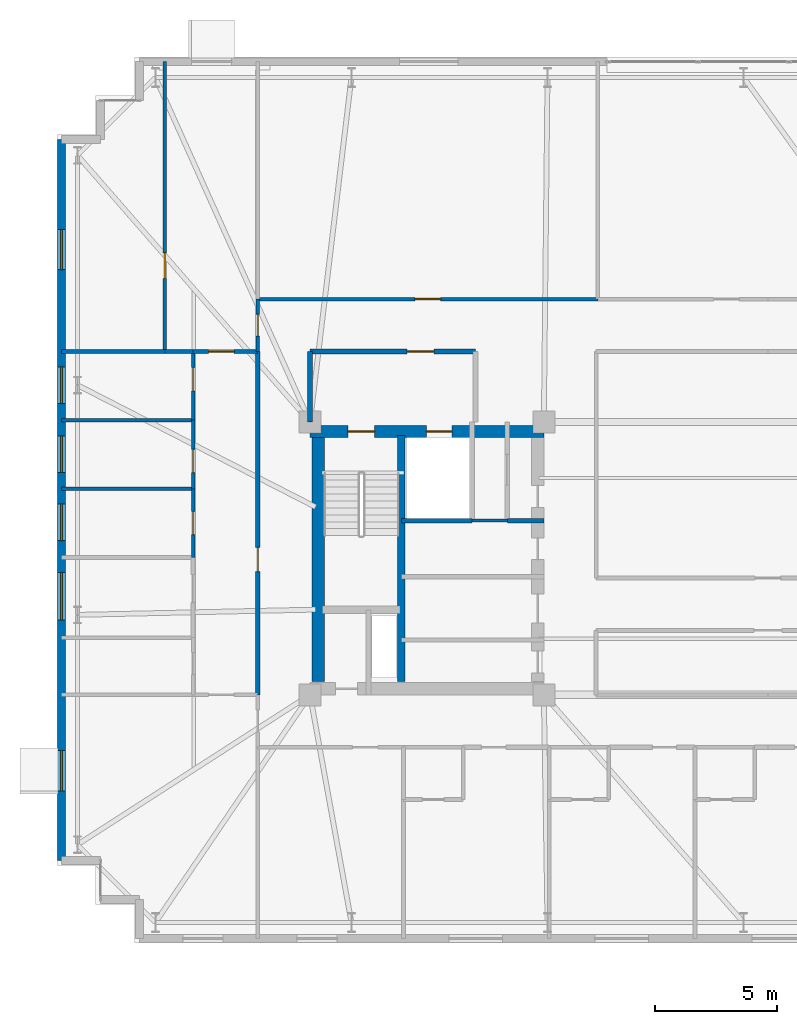
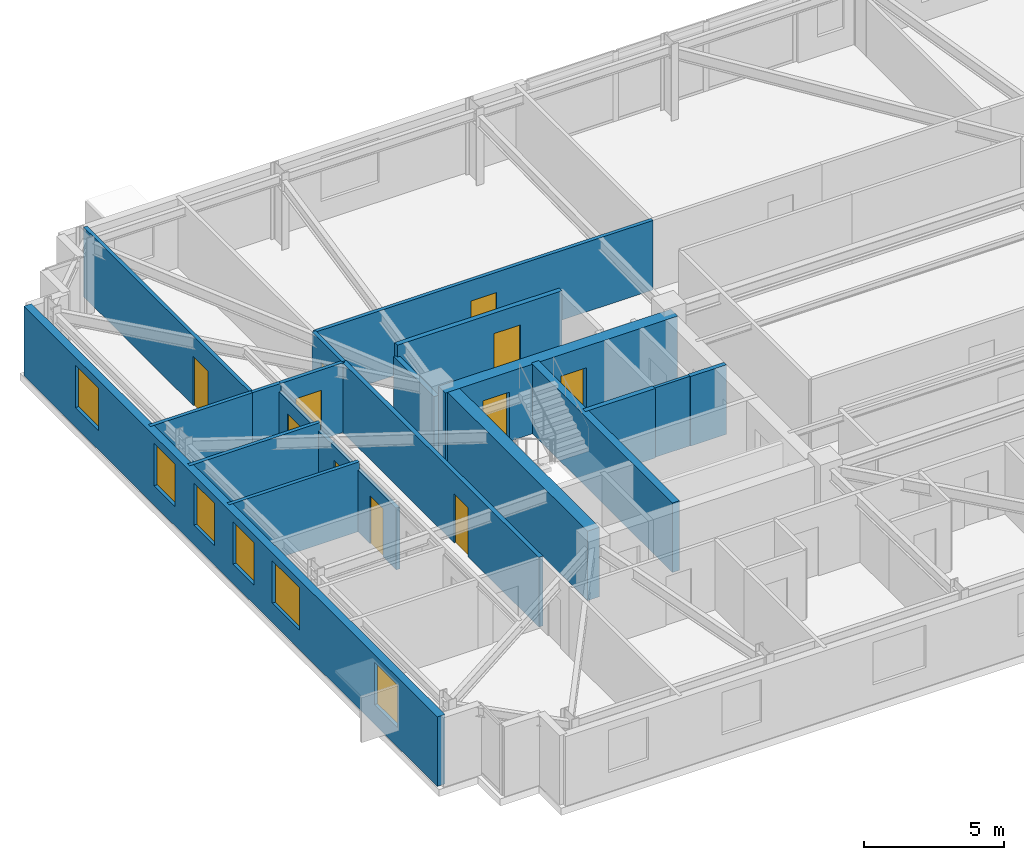
# One storey, part 13 of 18: 21 walls, 11 doors, 6 windows, 17 openings.
"""IFC4 building model written with IfcOpenShell, lengths in metres."""

from ifc_helpers import new_model, si_unit, direction, frame, frame_2d, origin, place, context, subcontext, project, spatial, rectangle, extrude, material, layer, layer_set, type_object, element, fill, save


model = new_model("IFC4")

# Units and contexts
model_context = context("Model", 3, precision=1e-05, world=origin(), true_north=direction((0.0, 1.0)))
body_context = subcontext(model_context, "Body", "Model", "MODEL_VIEW")
ifc_project = project(units=[si_unit("LENGTHUNIT", "METRE"), si_unit("AREAUNIT", "SQUARE_METRE"), si_unit("VOLUMEUNIT", "CUBIC_METRE"), si_unit("PLANEANGLEUNIT", "RADIAN"), si_unit("MASSUNIT", "GRAM", prefix="KILO")], contexts=[model_context])

# Site, building, storey
site_placement = place(None, origin())
site = spatial("IfcSite", under=ifc_project, at=site_placement, CompositionType="ELEMENT")
building_placement = place(site_placement, origin())
building = spatial("IfcBuilding", under=site, at=building_placement, Name="Qobustan Lattice House", CompositionType="ELEMENT")
storey_placement = place(building_placement, frame((0.0, 0.0, 151.10009765625)))
storey = spatial("IfcBuildingStorey", under=building, at=storey_placement, Name="L42", CompositionType="ELEMENT", Elevation=151.10009765625)

# Wall, openings, doors
ifc_material_1 = material(Name="Concrete C50/60", Category="concrete")
ifc_layer_1 = layer(ifc_material_1, 0.5)
ifc_layer_set_1 = layer_set([ifc_layer_1], Name="Concrete C50/60")
wall_type_1 = type_object("IfcWallType", Name="WAL-CORE-500", PredefinedType="SHEAR", material=ifc_layer_set_1)
wall_1_placement = place(storey_placement, frame((-18.800048828125, 5.2099609375, 0.0), z_axis=(0.0, 0.0, 1.0), x_axis=(1.0, 0.0, 0.0)))
wall_1 = element("IfcWall", 1, at=wall_1_placement, inside=storey, type_object=wall_type_1, Name="L42 split-core shear wall CW-N", PredefinedType="SHEAR", context=body_context, shape_type="SweptSolid", body=[
    extrude(rectangle(XDim=9.60009765625, YDim=0.5, at=frame_2d((4.800048828125, 0.0))), origin(), (0.0, 0.0, 1.0), 3.039794921875),
])
opening_1_placement = place(wall_1_placement, frame((1.550048828125, 0.0, 0.0)))
opening_1 = element("IfcOpeningElement", 2, at=opening_1_placement, cuts=wall_1, Name="Opening SD-01", PredefinedType="OPENING", context=body_context, shape_type="SweptSolid", body=[
    extrude(rectangle(XDim=1.10009765625, YDim=2.14990234375, at=frame_2d((0.550048828125, 1.074951171875))), frame((0.0, 0.260009765625, 0.0), z_axis=(0.0, -1.0, 0.0), x_axis=(1.0, 0.0, 0.0)), (0.0, 0.0, 1.0), 0.52001953125),
])
opening_2_placement = place(wall_1_placement, frame((4.77490234375, 0.0, 0.0)))
opening_2 = element("IfcOpeningElement", 3, at=opening_2_placement, cuts=wall_1, Name="Opening LD-01", PredefinedType="OPENING", context=body_context, shape_type="SweptSolid", body=[
    extrude(rectangle(XDim=1.050048828125, YDim=2.10009765625, at=frame_2d((0.52490234375, 1.050048828125))), frame((0.0, 0.260009765625, 0.0), z_axis=(0.0, -1.0, 0.0), x_axis=(1.0, 0.0, 0.0)), (0.0, 0.0, 1.0), 0.52001953125),
])
ifc_material_2 = material(Name="Persian walnut timber and steel frame door", Category="steel")
door_type_1 = type_object("IfcDoorType", Name="DOR-LIFT-LD-1050x2100", OperationType="NOTDEFINED", PredefinedType="DOOR", material=ifc_material_2)
door_1_placement = place(opening_2_placement, origin())
door_1 = element("IfcDoor", 4, at=door_1_placement, inside=storey, type_object=door_type_1, Name="L42 firefighting lift FF-W landing door", OperationType="DOUBLE_DOOR_SLIDING", OverallHeight=2.10009765625, OverallWidth=1.050048828125, PredefinedType="DOOR", context=body_context, shape_type="SweptSolid", body=[
    extrude(rectangle(XDim=1.050048828125, YDim=2.10009765625, at=frame_2d((0.52490234375, 1.050048828125))), frame((0.0, 0.02490234375, 0.0), z_axis=(0.0, -1.0, 0.0), x_axis=(1.0, 0.0, 0.0)), (0.0, 0.0, 1.0), 0.050048828125),
])
fill(opening_2, door_1)
ifc_material_3 = material(Name="Persian walnut timber and steel frame door", Category="steel")
door_type_2 = type_object("IfcDoorType", Name="DOR-STAIR-FD-1100x2150", OperationType="NOTDEFINED", PredefinedType="DOOR", material=ifc_material_3)
door_2_placement = place(opening_1_placement, origin())
door_2 = element("IfcDoor", 5, at=door_2_placement, inside=storey, type_object=door_type_2, Name="L42 exit stair ST-W1 fire door", OperationType="SINGLE_SWING_LEFT", OverallHeight=2.14990234375, OverallWidth=1.10009765625, PredefinedType="DOOR", context=body_context, shape_type="SweptSolid", body=[
    extrude(rectangle(XDim=1.10009765625, YDim=2.14990234375, at=frame_2d((0.550048828125, 1.074951171875))), frame((0.0, 0.02490234375, 0.0), z_axis=(0.0, -1.0, 0.0), x_axis=(1.0, 0.0, 0.0)), (0.0, 0.0, 1.0), 0.050048828125),
])
fill(opening_1, door_2)

# Walls
wall_2_placement = place(storey_placement, frame((-18.4599609375, -5.050048828125, 0.0), z_axis=(0.0, 0.0, 1.0), x_axis=(0.0, 1.0, 0.0)))
element("IfcWall", 6, at=wall_2_placement, inside=storey, type_object=wall_type_1, Name="L42 split-core shear wall CW-W", PredefinedType="SHEAR", context=body_context, shape_type="SweptSolid", body=[
    extrude(rectangle(XDim=10.10009765625, YDim=0.5, at=frame_2d((5.050048828125, 0.0))), origin(), (0.0, 0.0, 1.0), 3.039794921875),
])
ifc_material_4 = material(Name="Concrete C50/60", Category="concrete")
ifc_layer_2 = layer(ifc_material_4, 0.280029296875)
ifc_layer_set_2 = layer_set([ifc_layer_2], Name="Concrete C50/60")
wall_type_2 = type_object("IfcWallType", Name="WAL-CORE-SPINE-280", PredefinedType="SHEAR", material=ifc_layer_set_2)
wall_3_placement = place(storey_placement, frame((-15.050048828125, -5.050048828125, 0.0), z_axis=(0.0, 0.0, 1.0), x_axis=(0.0, 1.0, 0.0)))
element("IfcWall", 7, at=wall_3_placement, inside=storey, type_object=wall_type_2, Name="L42 split-core shear wall CW-M", PredefinedType="SHEAR", context=body_context, shape_type="SweptSolid", body=[
    extrude(rectangle(XDim=10.10009765625, YDim=0.300048828125, at=frame_2d((5.050048828125, 0.0))), origin(), (0.0, 0.0, 1.0), 3.039794921875),
])

# Wall, openings, windows
ifc_material_5 = material(Name="Precast concrete C40/50", Category="concrete")
ifc_layer_3 = layer(ifc_material_5, 0.320068359375)
ifc_layer_set_3 = layer_set([ifc_layer_3], Name="Precast concrete C40/50")
wall_type_3 = type_object("IfcWallType", Name="WAL-EXT-STONE-320", PredefinedType="SOLIDWALL", material=ifc_layer_set_3)
wall_4_placement = place(storey_placement, frame((-29.0, -12.39990234375, 0.0), z_axis=(0.0, 0.0, 1.0), x_axis=(0.0, 1.0, 0.0)))
wall_4 = element("IfcWall", 8, at=wall_4_placement, inside=storey, type_object=wall_type_3, Name="L42 exterior limestone-clad wall 5", PredefinedType="SOLIDWALL", context=body_context, shape_type="SweptSolid", body=[
    extrude(rectangle(XDim=29.599853515625, YDim=0.320068359375, at=frame_2d((14.7998046875, 0.0))), origin(), (0.0, 0.0, 1.0), 3.039794921875),
])
opening_3_placement = place(wall_4_placement, frame((2.85498046875, 0.0, 0.85009765625)))
opening_3 = element("IfcOpeningElement", 9, at=opening_3_placement, cuts=wall_4, Name="Opening WN-09", PredefinedType="OPENING", context=body_context, shape_type="SweptSolid", body=[
    extrude(rectangle(XDim=1.64990234375, YDim=1.85009765625, at=frame_2d((0.824951171875, 0.925048828125))), frame((0.0, 0.169921875, 0.0), z_axis=(0.0, -1.0, 0.0), x_axis=(1.0, 0.0, 0.0)), (0.0, 0.0, 1.0), 0.340087890625),
])
opening_4_placement = place(wall_4_placement, frame((9.864990234375, 0.0, 0.85009765625)))
opening_4 = element("IfcOpeningElement", 10, at=opening_4_placement, cuts=wall_4, Name="Opening WN-08", PredefinedType="OPENING", context=body_context, shape_type="SweptSolid", body=[
    extrude(rectangle(XDim=1.949951171875, YDim=1.85009765625, at=frame_2d((0.97509765625, 0.925048828125))), frame((0.0, 0.169921875, 0.0), z_axis=(0.0, -1.0, 0.0), x_axis=(1.0, 0.0, 0.0)), (0.0, 0.0, 1.0), 0.340087890625),
])
opening_5_placement = place(wall_4_placement, frame((13.1298828125, 0.0, 0.85009765625)))
opening_5 = element("IfcOpeningElement", 11, at=opening_5_placement, cuts=wall_4, Name="Opening WN-01", PredefinedType="OPENING", context=body_context, shape_type="SweptSolid", body=[
    extrude(rectangle(XDim=1.5, YDim=1.85009765625, at=frame_2d((0.75, 0.925048828125))), frame((0.0, 0.169921875, 0.0), z_axis=(0.0, -1.0, 0.0), x_axis=(1.0, 0.0, 0.0)), (0.0, 0.0, 1.0), 0.340087890625),
])
opening_6_placement = place(wall_4_placement, frame((15.929931640625, 0.0, 0.85009765625)))
opening_6 = element("IfcOpeningElement", 12, at=opening_6_placement, cuts=wall_4, Name="Opening WN-01", PredefinedType="OPENING", context=body_context, shape_type="SweptSolid", body=[
    extrude(rectangle(XDim=1.5, YDim=1.85009765625, at=frame_2d((0.75, 0.925048828125))), frame((0.0, 0.169921875, 0.0), z_axis=(0.0, -1.0, 0.0), x_axis=(1.0, 0.0, 0.0)), (0.0, 0.0, 1.0), 0.340087890625),
])
opening_7_placement = place(wall_4_placement, frame((18.77001953125, 0.0, 0.85009765625)))
opening_7 = element("IfcOpeningElement", 13, at=opening_7_placement, cuts=wall_4, Name="Opening WN-01", PredefinedType="OPENING", context=body_context, shape_type="SweptSolid", body=[
    extrude(rectangle(XDim=1.5, YDim=1.85009765625, at=frame_2d((0.75, 0.925048828125))), frame((0.0, 0.169921875, 0.0), z_axis=(0.0, -1.0, 0.0), x_axis=(1.0, 0.0, 0.0)), (0.0, 0.0, 1.0), 0.340087890625),
])
opening_8_placement = place(wall_4_placement, frame((24.2548828125, 0.0, 0.85009765625)))
opening_8 = element("IfcOpeningElement", 14, at=opening_8_placement, cuts=wall_4, Name="Opening WN-09", PredefinedType="OPENING", context=body_context, shape_type="SweptSolid", body=[
    extrude(rectangle(XDim=1.64990234375, YDim=1.85009765625, at=frame_2d((0.824951171875, 0.925048828125))), frame((0.0, 0.169921875, 0.0), z_axis=(0.0, -1.0, 0.0), x_axis=(1.0, 0.0, 0.0)), (0.0, 0.0, 1.0), 0.340087890625),
])
ifc_material_6 = material(Name="Double-glazed low-E aluminium window", Category="aluminium")
window_type_1 = type_object("IfcWindowType", Name="WIN-BED-1500x1850", PartitioningType="SINGLE_PANEL", PredefinedType="WINDOW", material=ifc_material_6)
window_1_placement = place(opening_5_placement, origin())
window_1 = element("IfcWindow", 15, at=window_1_placement, inside=storey, type_object=window_type_1, Name="L42 Cluster bedroom L42W1 window", OverallHeight=1.85009765625, OverallWidth=1.5, PartitioningType="SINGLE_PANEL", PredefinedType="WINDOW", context=body_context, shape_type="SweptSolid", body=[
    extrude(rectangle(XDim=1.5, YDim=1.85009765625, at=frame_2d((0.75, 0.925048828125))), frame((0.0, 0.030029296875, 0.0), z_axis=(0.0, -1.0, 0.0), x_axis=(1.0, 0.0, 0.0)), (0.0, 0.0, 1.0), 0.06005859375),
])
fill(opening_5, window_1)
window_2_placement = place(opening_6_placement, origin())
window_2 = element("IfcWindow", 16, at=window_2_placement, inside=storey, type_object=window_type_1, Name="L42 Cluster bedroom L42W2 window", OverallHeight=1.85009765625, OverallWidth=1.5, PartitioningType="SINGLE_PANEL", PredefinedType="WINDOW", context=body_context, shape_type="SweptSolid", body=[
    extrude(rectangle(XDim=1.5, YDim=1.85009765625, at=frame_2d((0.75, 0.925048828125))), frame((0.0, 0.030029296875, 0.0), z_axis=(0.0, -1.0, 0.0), x_axis=(1.0, 0.0, 0.0)), (0.0, 0.0, 1.0), 0.06005859375),
])
fill(opening_6, window_2)
window_3_placement = place(opening_7_placement, origin())
window_3 = element("IfcWindow", 17, at=window_3_placement, inside=storey, type_object=window_type_1, Name="L42 Cluster bedroom L42W3 window", OverallHeight=1.85009765625, OverallWidth=1.5, PartitioningType="SINGLE_PANEL", PredefinedType="WINDOW", context=body_context, shape_type="SweptSolid", body=[
    extrude(rectangle(XDim=1.5, YDim=1.85009765625, at=frame_2d((0.75, 0.925048828125))), frame((0.0, 0.030029296875, 0.0), z_axis=(0.0, -1.0, 0.0), x_axis=(1.0, 0.0, 0.0)), (0.0, 0.0, 1.0), 0.06005859375),
])
fill(opening_7, window_3)
ifc_material_7 = material(Name="Double-glazed low-E aluminium window", Category="aluminium")
window_type_2 = type_object("IfcWindowType", Name="WIN-KIT-1950x1850", PartitioningType="SINGLE_PANEL", PredefinedType="WINDOW", material=ifc_material_7)
window_4_placement = place(opening_4_placement, origin())
window_4 = element("IfcWindow", 18, at=window_4_placement, inside=storey, type_object=window_type_2, Name="L42 Shared kitchen L42W window", OverallHeight=1.85009765625, OverallWidth=1.949951171875, PartitioningType="SINGLE_PANEL", PredefinedType="WINDOW", context=body_context, shape_type="SweptSolid", body=[
    extrude(rectangle(XDim=1.949951171875, YDim=1.85009765625, at=frame_2d((0.97509765625, 0.925048828125))), frame((0.0, 0.030029296875, 0.0), z_axis=(0.0, -1.0, 0.0), x_axis=(1.0, 0.0, 0.0)), (0.0, 0.0, 1.0), 0.06005859375),
])
fill(opening_4, window_4)
ifc_material_8 = material(Name="Double-glazed low-E aluminium window", Category="aluminium")
window_type_3 = type_object("IfcWindowType", Name="WIN-STU-1650x1850", PartitioningType="SINGLE_PANEL", PredefinedType="WINDOW", material=ifc_material_8)
window_5_placement = place(opening_3_placement, origin())
window_5 = element("IfcWindow", 19, at=window_5_placement, inside=storey, type_object=window_type_3, Name="L42 Reading study room L42WS window", OverallHeight=1.85009765625, OverallWidth=1.64990234375, PartitioningType="SINGLE_PANEL", PredefinedType="WINDOW", context=body_context, shape_type="SweptSolid", body=[
    extrude(rectangle(XDim=1.64990234375, YDim=1.85009765625, at=frame_2d((0.824951171875, 0.925048828125))), frame((0.0, 0.030029296875, 0.0), z_axis=(0.0, -1.0, 0.0), x_axis=(1.0, 0.0, 0.0)), (0.0, 0.0, 1.0), 0.06005859375),
])
fill(opening_3, window_5)
window_6_placement = place(opening_8_placement, origin())
window_6 = element("IfcWindow", 20, at=window_6_placement, inside=storey, type_object=window_type_3, Name="L42 Collaborative study room L42WN window", OverallHeight=1.85009765625, OverallWidth=1.64990234375, PartitioningType="SINGLE_PANEL", PredefinedType="WINDOW", context=body_context, shape_type="SweptSolid", body=[
    extrude(rectangle(XDim=1.64990234375, YDim=1.85009765625, at=frame_2d((0.824951171875, 0.925048828125))), frame((0.0, 0.030029296875, 0.0), z_axis=(0.0, -1.0, 0.0), x_axis=(1.0, 0.0, 0.0)), (0.0, 0.0, 1.0), 0.06005859375),
])
fill(opening_8, window_6)

# Wall
ifc_material_9 = material(Name="Gypsum fireboard acoustic partition", Category="gypsum")
ifc_layer_4 = layer(ifc_material_9, 0.179931640625)
ifc_layer_set_4 = layer_set([ifc_layer_4], Name="Gypsum fireboard acoustic partition")
wall_type_4 = type_object("IfcWallType", Name="WAL-FIRE-180", PredefinedType="PARTITIONING", material=ifc_layer_set_4)
wall_5_placement = place(storey_placement, frame((-10.699951171875, 1.550048828125, 0.0), z_axis=(0.0, 0.0, 1.0), x_axis=(1.0, 0.0, 0.0)))
element("IfcWall", 21, at=wall_5_placement, inside=storey, type_object=wall_type_4, Name="L42 interior partition 7", PredefinedType="PARTITIONING", context=body_context, shape_type="SweptSolid", body=[
    extrude(rectangle(XDim=1.5, YDim=0.179931640625, at=frame_2d((0.75, 0.0))), origin(), (0.0, 0.0, 1.0), 3.039794921875),
])

# Wall, opening, door
wall_6_placement = place(storey_placement, frame((-20.949951171875, -5.60009765625, 0.0), z_axis=(0.0, 0.0, 1.0), x_axis=(0.0, 1.0, 0.0)))
wall_6 = element("IfcWall", 22, at=wall_6_placement, inside=storey, type_object=wall_type_4, Name="L42 interior partition 60", PredefinedType="PARTITIONING", context=body_context, shape_type="SweptSolid", body=[
    extrude(rectangle(XDim=14.10009765625, YDim=0.179931640625, at=frame_2d((7.050048828125, 0.0))), origin(), (0.0, 0.0, 1.0), 3.039794921875),
])
opening_9_placement = place(wall_6_placement, frame((5.0576171875, 0.0, 0.0)))
opening_9 = element("IfcOpeningElement", 23, at=opening_9_placement, cuts=wall_6, Name="Opening FD-02", PredefinedType="OPENING", context=body_context, shape_type="SweptSolid", body=[
    extrude(rectangle(XDim=1.0, YDim=2.14990234375, at=frame_2d((0.5, 1.074951171875))), frame((0.0, 0.099853515625, 0.0), z_axis=(0.0, -1.0, 0.0), x_axis=(1.0, 0.0, 0.0)), (0.0, 0.0, 1.0), 0.199951171875),
])
ifc_material_10 = material(Name="Persian walnut timber and steel frame door", Category="steel")
door_type_3 = type_object("IfcDoorType", Name="DOR-UNIT-FD-1000x2150", OperationType="NOTDEFINED", PredefinedType="DOOR", material=ifc_material_10)
door_3_placement = place(opening_9_placement, origin())
door_3 = element("IfcDoor", 24, at=door_3_placement, inside=storey, type_object=door_type_3, Name="L42 West wing spine gallery to Residence entrance hall L42W door", OperationType="SINGLE_SWING_RIGHT", OverallHeight=2.14990234375, OverallWidth=1.0, PredefinedType="DOOR", context=body_context, shape_type="SweptSolid", body=[
    extrude(rectangle(XDim=1.0, YDim=2.14990234375, at=frame_2d((0.5, 1.074951171875))), frame((0.0, 0.02490234375, 0.0), z_axis=(0.0, -1.0, 0.0), x_axis=(1.0, 0.0, 0.0)), (0.0, 0.0, 1.0), 0.050048828125),
])
fill(opening_9, door_3)

# Wall
ifc_material_11 = material(Name="Lightweight acoustic stud partition", Category="gypsum")
ifc_layer_5 = layer(ifc_material_11, 0.125)
ifc_layer_set_5 = layer_set([ifc_layer_5], Name="Lightweight acoustic stud partition")
wall_type_5 = type_object("IfcWallType", Name="WAL-PART-125", PredefinedType="PARTITIONING", material=ifc_layer_set_5)
wall_7_placement = place(storey_placement, frame((-12.14990234375, 1.550048828125, 0.0), z_axis=(0.0, 0.0, 1.0), x_axis=(1.0, 0.0, 0.0)))
element("IfcWall", 25, at=wall_7_placement, inside=storey, type_object=wall_type_5, Name="L42 interior partition 9", PredefinedType="PARTITIONING", context=body_context, shape_type="SweptSolid", body=[
    extrude(rectangle(XDim=1.449951171875, YDim=0.125, at=frame_2d((0.72509765625, 0.0))), origin(), (0.0, 0.0, 1.0), 3.039794921875),
])

# Wall, opening, door
ifc_material_12 = material(Name="Acoustic twin-stud gypsum partition", Category="gypsum")
ifc_layer_6 = layer(ifc_material_12, 0.14990234375)
ifc_layer_set_6 = layer_set([ifc_layer_6], Name="Acoustic twin-stud gypsum partition")
wall_type_6 = type_object("IfcWallType", Name="WAL-PART-150", PredefinedType="PARTITIONING", material=ifc_layer_set_6)
wall_8_placement = place(storey_placement, frame((-20.949951171875, 8.5, 0.0), z_axis=(0.0, 0.0, 1.0), x_axis=(0.0, 1.0, 0.0)))
wall_8 = element("IfcWall", 26, at=wall_8_placement, inside=storey, type_object=wall_type_6, Name="L42 interior partition 34", PredefinedType="PARTITIONING", context=body_context, shape_type="SweptSolid", body=[
    extrude(rectangle(XDim=2.14990234375, YDim=0.14990234375, at=frame_2d((1.074951171875, 0.0))), origin(), (0.0, 0.0, 1.0), 3.039794921875),
])
opening_10_placement = place(wall_8_placement, frame((0.625, 0.0, 0.0)))
opening_10 = element("IfcOpeningElement", 27, at=opening_10_placement, cuts=wall_8, Name="Opening WD-01", PredefinedType="OPENING", context=body_context, shape_type="SweptSolid", body=[
    extrude(rectangle(XDim=0.89990234375, YDim=2.10009765625, at=frame_2d((0.449951171875, 1.050048828125))), frame((0.0, 0.0849609375, 0.0), z_axis=(0.0, -1.0, 0.0), x_axis=(1.0, 0.0, 0.0)), (0.0, 0.0, 1.0), 0.169921875),
])
ifc_material_13 = material(Name="Persian walnut timber and steel frame door", Category="steel")
door_type_4 = type_object("IfcDoorType", Name="DOR-WET-900x2100", OperationType="NOTDEFINED", PredefinedType="DOOR", material=ifc_material_13)
door_4_placement = place(opening_10_placement, origin())
door_4 = element("IfcDoor", 28, at=door_4_placement, inside=storey, type_object=door_type_4, Name="L42 North-west floor corridor to Reading seminar room L42WN door", OperationType="SINGLE_SWING_LEFT", OverallHeight=2.10009765625, OverallWidth=0.89990234375, PredefinedType="DOOR", context=body_context, shape_type="SweptSolid", body=[
    extrude(rectangle(XDim=0.89990234375, YDim=2.10009765625, at=frame_2d((0.449951171875, 1.050048828125))), frame((0.0, 0.02490234375, 0.0), z_axis=(0.0, -1.0, 0.0), x_axis=(1.0, 0.0, 0.0)), (0.0, 0.0, 1.0), 0.050048828125),
])
fill(opening_10, door_4)

wall_9_placement = place(storey_placement, frame((-20.949951171875, 10.64990234375, 0.0), z_axis=(0.0, 0.0, 1.0), x_axis=(1.0, 0.0, 0.0)))
wall_9 = element("IfcWall", 29, at=wall_9_placement, inside=storey, type_object=wall_type_6, Name="L42 interior partition 35", PredefinedType="PARTITIONING", context=body_context, shape_type="SweptSolid", body=[
    extrude(rectangle(XDim=13.967041015625, YDim=0.14990234375, at=frame_2d((6.9833984375, 0.0))), origin(), (0.0, 0.0, 1.0), 3.039794921875),
])
opening_11_placement = place(wall_9_placement, frame((6.45849609375, 0.0, 0.0)))
opening_11 = element("IfcOpeningElement", 30, at=opening_11_placement, cuts=wall_9, Name="Opening ID-02", PredefinedType="OPENING", context=body_context, shape_type="SweptSolid", body=[
    extrude(rectangle(XDim=1.050048828125, YDim=2.14990234375, at=frame_2d((0.52490234375, 1.074951171875))), frame((0.0, 0.0849609375, 0.0), z_axis=(0.0, -1.0, 0.0), x_axis=(1.0, 0.0, 0.0)), (0.0, 0.0, 1.0), 0.169921875),
])
ifc_material_14 = material(Name="Persian walnut timber and steel frame door", Category="steel")
door_type_5 = type_object("IfcDoorType", Name="DOR-STUDY-1050x2150", OperationType="NOTDEFINED", PredefinedType="DOOR", material=ifc_material_14)
door_5_placement = place(opening_11_placement, origin())
door_5 = element("IfcDoor", 31, at=door_5_placement, inside=storey, type_object=door_type_5, Name="L42 North-west floor corridor to Walnut iwan sky lounge N1 door", OperationType="SINGLE_SWING_RIGHT", OverallHeight=2.14990234375, OverallWidth=1.050048828125, PredefinedType="DOOR", context=body_context, shape_type="SweptSolid", body=[
    extrude(rectangle(XDim=1.050048828125, YDim=2.14990234375, at=frame_2d((0.52490234375, 1.074951171875))), frame((0.0, 0.02490234375, 0.0), z_axis=(0.0, -1.0, 0.0), x_axis=(1.0, 0.0, 0.0)), (0.0, 0.0, 1.0), 0.050048828125),
])
fill(opening_11, door_5)

wall_10_placement = place(storey_placement, frame((-23.60009765625, 8.5, 0.0), z_axis=(0.0, 0.0, 1.0), x_axis=(1.0, 0.0, 0.0)))
wall_10 = element("IfcWall", 32, at=wall_10_placement, inside=storey, type_object=wall_type_6, Name="L42 interior partition 70", PredefinedType="PARTITIONING", context=body_context, shape_type="SweptSolid", body=[
    extrude(rectangle(XDim=2.650146484375, YDim=0.14990234375, at=frame_2d((1.3251953125, 0.0))), origin(), (0.0, 0.0, 1.0), 3.039794921875),
])
opening_12_placement = place(wall_10_placement, frame((0.635009765625, 0.0, 0.0)))
opening_12 = element("IfcOpeningElement", 33, at=opening_12_placement, cuts=wall_10, Name="Opening ID-02", PredefinedType="OPENING", context=body_context, shape_type="SweptSolid", body=[
    extrude(rectangle(XDim=1.050048828125, YDim=2.14990234375, at=frame_2d((0.52490234375, 1.074951171875))), frame((0.0, 0.0849609375, 0.0), z_axis=(0.0, -1.0, 0.0), x_axis=(1.0, 0.0, 0.0)), (0.0, 0.0, 1.0), 0.169921875),
])
door_6_placement = place(opening_12_placement, origin())
door_6 = element("IfcDoor", 34, at=door_6_placement, inside=storey, type_object=door_type_5, Name="L42 Residence entrance hall L42W to Reading seminar room L42WN door", OperationType="SINGLE_SWING_RIGHT", OverallHeight=2.14990234375, OverallWidth=1.050048828125, PredefinedType="DOOR", context=body_context, shape_type="SweptSolid", body=[
    extrude(rectangle(XDim=1.050048828125, YDim=2.14990234375, at=frame_2d((0.52490234375, 1.074951171875))), frame((0.0, 0.02490234375, 0.0), z_axis=(0.0, -1.0, 0.0), x_axis=(1.0, 0.0, 0.0)), (0.0, 0.0, 1.0), 0.050048828125),
])
fill(opening_12, door_6)

wall_11_placement = place(storey_placement, frame((-23.60009765625, 0.0400390625, 0.0), z_axis=(0.0, 0.0, 1.0), x_axis=(0.0, 1.0, 0.0)))
wall_11 = element("IfcWall", 35, at=wall_11_placement, inside=storey, type_object=wall_type_6, Name="L42 interior partition 74", PredefinedType="PARTITIONING", context=body_context, shape_type="SweptSolid", body=[
    extrude(rectangle(XDim=2.820068359375, YDim=0.14990234375, at=frame_2d((1.41015625, 0.0))), origin(), (0.0, 0.0, 1.0), 2.69482421875),
])
opening_13_placement = place(wall_11_placement, frame((0.93505859375, 0.0, 0.0)))
opening_13 = element("IfcOpeningElement", 36, at=opening_13_placement, cuts=wall_11, Name="Opening ID-01", PredefinedType="OPENING", context=body_context, shape_type="SweptSolid", body=[
    extrude(rectangle(XDim=0.949951171875, YDim=2.10009765625, at=frame_2d((0.47509765625, 1.050048828125))), frame((0.0, 0.0849609375, 0.0), z_axis=(0.0, -1.0, 0.0), x_axis=(1.0, 0.0, 0.0)), (0.0, 0.0, 1.0), 0.169921875),
])
ifc_material_15 = material(Name="Persian walnut timber and steel frame door", Category="steel")
door_type_6 = type_object("IfcDoorType", Name="DOR-ROOM-950x2100", OperationType="NOTDEFINED", PredefinedType="DOOR", material=ifc_material_15)
door_7_placement = place(opening_13_placement, origin())
door_7 = element("IfcDoor", 37, at=door_7_placement, inside=storey, type_object=door_type_6, Name="L42 Residence entrance hall L42W to Cluster bedroom L42W1 door", OperationType="SINGLE_SWING_RIGHT", OverallHeight=2.10009765625, OverallWidth=0.949951171875, PredefinedType="DOOR", context=body_context, shape_type="SweptSolid", body=[
    extrude(rectangle(XDim=0.949951171875, YDim=2.10009765625, at=frame_2d((0.47509765625, 1.050048828125))), frame((0.0, 0.02490234375, 0.0), z_axis=(0.0, -1.0, 0.0), x_axis=(1.0, 0.0, 0.0)), (0.0, 0.0, 1.0), 0.050048828125),
])
fill(opening_13, door_7)

wall_12_placement = place(storey_placement, frame((-23.60009765625, 2.860107421875, 0.0), z_axis=(0.0, 0.0, 1.0), x_axis=(0.0, 1.0, 0.0)))
wall_12 = element("IfcWall", 38, at=wall_12_placement, inside=storey, type_object=wall_type_6, Name="L42 interior partition 75", PredefinedType="PARTITIONING", context=body_context, shape_type="SweptSolid", body=[
    extrude(rectangle(XDim=2.81982421875, YDim=0.14990234375, at=frame_2d((1.409912109375, 0.0))), origin(), (0.0, 0.0, 1.0), 2.69482421875),
])
opening_14_placement = place(wall_12_placement, frame((0.668701171875, 0.0, 0.0)))
opening_14 = element("IfcOpeningElement", 39, at=opening_14_placement, cuts=wall_12, Name="Opening ID-01", PredefinedType="OPENING", context=body_context, shape_type="SweptSolid", body=[
    extrude(rectangle(XDim=0.949951171875, YDim=2.10009765625, at=frame_2d((0.47509765625, 1.050048828125))), frame((0.0, 0.0849609375, 0.0), z_axis=(0.0, -1.0, 0.0), x_axis=(1.0, 0.0, 0.0)), (0.0, 0.0, 1.0), 0.169921875),
])
door_8_placement = place(opening_14_placement, origin())
door_8 = element("IfcDoor", 40, at=door_8_placement, inside=storey, type_object=door_type_6, Name="L42 Residence entrance hall L42W to Cluster bedroom L42W2 door", OperationType="SINGLE_SWING_LEFT", OverallHeight=2.10009765625, OverallWidth=0.949951171875, PredefinedType="DOOR", context=body_context, shape_type="SweptSolid", body=[
    extrude(rectangle(XDim=0.949951171875, YDim=2.10009765625, at=frame_2d((0.47509765625, 1.050048828125))), frame((0.0, 0.02490234375, 0.0), z_axis=(0.0, -1.0, 0.0), x_axis=(1.0, 0.0, 0.0)), (0.0, 0.0, 1.0), 0.050048828125),
])
fill(opening_14, door_8)

wall_13_placement = place(storey_placement, frame((-23.60009765625, 5.679931640625, 0.0), z_axis=(0.0, 0.0, 1.0), x_axis=(0.0, 1.0, 0.0)))
wall_13 = element("IfcWall", 41, at=wall_13_placement, inside=storey, type_object=wall_type_6, Name="L42 interior partition 76", PredefinedType="PARTITIONING", context=body_context, shape_type="SweptSolid", body=[
    extrude(rectangle(XDim=2.820068359375, YDim=0.14990234375, at=frame_2d((1.41015625, 0.0))), origin(), (0.0, 0.0, 1.0), 2.69482421875),
])
opening_15_placement = place(wall_13_placement, frame((1.201171875, 0.0, 0.0)))
opening_15 = element("IfcOpeningElement", 42, at=opening_15_placement, cuts=wall_13, Name="Opening ID-01", PredefinedType="OPENING", context=body_context, shape_type="SweptSolid", body=[
    extrude(rectangle(XDim=0.949951171875, YDim=2.10009765625, at=frame_2d((0.47509765625, 1.050048828125))), frame((0.0, 0.0849609375, 0.0), z_axis=(0.0, -1.0, 0.0), x_axis=(1.0, 0.0, 0.0)), (0.0, 0.0, 1.0), 0.169921875),
])
door_9_placement = place(opening_15_placement, origin())
door_9 = element("IfcDoor", 43, at=door_9_placement, inside=storey, type_object=door_type_6, Name="L42 Residence entrance hall L42W to Cluster bedroom L42W3 door", OperationType="SINGLE_SWING_RIGHT", OverallHeight=2.10009765625, OverallWidth=0.949951171875, PredefinedType="DOOR", context=body_context, shape_type="SweptSolid", body=[
    extrude(rectangle(XDim=0.949951171875, YDim=2.10009765625, at=frame_2d((0.47509765625, 1.050048828125))), frame((0.0, 0.02490234375, 0.0), z_axis=(0.0, -1.0, 0.0), x_axis=(1.0, 0.0, 0.0)), (0.0, 0.0, 1.0), 0.050048828125),
])
fill(opening_15, door_9)

wall_14_placement = place(storey_placement, frame((-24.764892578125, 8.5, 0.0), z_axis=(0.0, 0.0, 1.0), x_axis=(0.0, 1.0, 0.0)))
wall_14 = element("IfcWall", 44, at=wall_14_placement, inside=storey, type_object=wall_type_6, Name="L42 interior partition 77", PredefinedType="PARTITIONING", context=body_context, shape_type="SweptSolid", body=[
    extrude(rectangle(XDim=11.89990234375, YDim=0.14990234375, at=frame_2d((5.949951171875, 0.0))), origin(), (0.0, 0.0, 1.0), 3.039794921875),
])
opening_16_placement = place(wall_14_placement, frame((3.00244140625, 0.0, 0.0)))
opening_16 = element("IfcOpeningElement", 45, at=opening_16_placement, cuts=wall_14, Name="Opening ID-02", PredefinedType="OPENING", context=body_context, shape_type="SweptSolid", body=[
    extrude(rectangle(XDim=1.050048828125, YDim=2.14990234375, at=frame_2d((0.52490234375, 1.074951171875))), frame((0.0, 0.0849609375, 0.0), z_axis=(0.0, -1.0, 0.0), x_axis=(1.0, 0.0, 0.0)), (0.0, 0.0, 1.0), 0.169921875),
])
door_10_placement = place(opening_16_placement, origin())
door_10 = element("IfcDoor", 46, at=door_10_placement, inside=storey, type_object=door_type_5, Name="L42 Reading seminar room L42WN to Collaborative study room L42WN door", OperationType="SINGLE_SWING_LEFT", OverallHeight=2.14990234375, OverallWidth=1.050048828125, PredefinedType="DOOR", context=body_context, shape_type="SweptSolid", body=[
    extrude(rectangle(XDim=1.050048828125, YDim=2.14990234375, at=frame_2d((0.52490234375, 1.074951171875))), frame((0.0, 0.02490234375, 0.0), z_axis=(0.0, -1.0, 0.0), x_axis=(1.0, 0.0, 0.0)), (0.0, 0.0, 1.0), 0.050048828125),
])
fill(opening_16, door_10)

# Walls
wall_15_placement = place(storey_placement, frame((-23.60009765625, 8.5, 0.0), z_axis=(0.0, 0.0, 1.0), x_axis=(-1.0, 0.0, 0.0)))
element("IfcWall", 47, at=wall_15_placement, inside=storey, type_object=wall_type_6, Name="L42 interior partition 78", PredefinedType="PARTITIONING", context=body_context, shape_type="SweptSolid", body=[
    extrude(rectangle(XDim=1.164794921875, YDim=0.14990234375, at=frame_2d((0.58251953125, 0.0))), origin(), (0.0, 0.0, 1.0), 3.039794921875),
])
wall_16_placement = place(storey_placement, frame((-24.764892578125, 8.5, 0.0), z_axis=(0.0, 0.0, 1.0), x_axis=(-1.0, 0.0, 0.0)))
element("IfcWall", 48, at=wall_16_placement, inside=storey, type_object=wall_type_6, Name="L42 interior partition 80", PredefinedType="PARTITIONING", context=body_context, shape_type="SweptSolid", body=[
    extrude(rectangle(XDim=4.235107421875, YDim=0.14990234375, at=frame_2d((2.11767578125, 0.0))), origin(), (0.0, 0.0, 1.0), 3.039794921875),
])
for number, where, z_axis, x_axis, name in (
    (49, (-29.0, 2.860107421875, 0.0), (0.0, 0.0, 1.0), (1.0, 0.0, 0.0), "L42 interior partition 85"),
    (50, (-29.0, 5.679931640625, 0.0), (0.0, 0.0, 1.0), (1.0, 0.0, 0.0), "L42 interior partition 86"),
):
    element("IfcWall", number, at=place(storey_placement, frame(where, z_axis=z_axis, x_axis=x_axis)), inside=storey, type_object=wall_type_6, Name=name, PredefinedType="PARTITIONING", context=body_context, shape_type="SweptSolid", body=[
        extrude(rectangle(XDim=5.39990234375, YDim=0.14990234375, at=frame_2d((2.699951171875, 0.0))), origin(), (0.0, 0.0, 1.0), 3.039794921875),
    ])

# Wall, opening, door
ifc_material_16 = material(Name="Two-hour gypsum fireboard acoustic partition", Category="gypsum")
ifc_layer_7 = layer(ifc_material_16, 0.199951171875)
ifc_layer_set_7 = layer_set([ifc_layer_7], Name="Two-hour gypsum fireboard acoustic partition")
wall_type_7 = type_object("IfcWallType", Name="WAL-PROT-200", PredefinedType="PARTITIONING", material=ifc_layer_set_7)
wall_17_placement = place(storey_placement, frame((-12.0, 8.5, 0.0), z_axis=(0.0, 0.0, 1.0), x_axis=(-1.0, 0.0, 0.0)))
wall_17 = element("IfcWall", 51, at=wall_17_placement, inside=storey, type_object=wall_type_7, Name="L42 interior partition 3", PredefinedType="PARTITIONING", context=body_context, shape_type="SweptSolid", body=[
    extrude(rectangle(XDim=6.800048828125, YDim=0.199951171875, at=frame_2d((3.39990234375, 0.0))), origin(), (0.0, 0.0, 1.0), 3.039794921875),
])
opening_17_placement = place(wall_17_placement, frame((1.715087890625, 0.0, 0.0)))
opening_17 = element("IfcOpeningElement", 52, at=opening_17_placement, cuts=wall_17, Name="Opening SD-01", PredefinedType="OPENING", context=body_context, shape_type="SweptSolid", body=[
    extrude(rectangle(XDim=1.10009765625, YDim=2.14990234375, at=frame_2d((0.550048828125, 1.074951171875))), frame((0.0, 0.10986328125, 0.0), z_axis=(0.0, -1.0, 0.0), x_axis=(1.0, 0.0, 0.0)), (0.0, 0.0, 1.0), 0.219970703125),
])
door_11_placement = place(opening_17_placement, origin())
door_11 = element("IfcDoor", 53, at=door_11_placement, inside=storey, type_object=door_type_2, Name="L42 West firefighting lift lobby to North-west floor corridor door", OperationType="SINGLE_SWING_LEFT", OverallHeight=2.14990234375, OverallWidth=1.10009765625, PredefinedType="DOOR", context=body_context, shape_type="SweptSolid", body=[
    extrude(rectangle(XDim=1.10009765625, YDim=2.14990234375, at=frame_2d((0.550048828125, 1.074951171875))), frame((0.0, 0.02490234375, 0.0), z_axis=(0.0, -1.0, 0.0), x_axis=(1.0, 0.0, 0.0)), (0.0, 0.0, 1.0), 0.050048828125),
])
fill(opening_17, door_11)

# Walls
wall_18_placement = place(storey_placement, frame((-18.800048828125, 8.5, 0.0), z_axis=(0.0, 0.0, 1.0), x_axis=(0.0, -1.0, 0.0)))
element("IfcWall", 54, at=wall_18_placement, inside=storey, type_object=wall_type_7, Name="L42 interior partition 4", PredefinedType="PARTITIONING", context=body_context, shape_type="SweptSolid", body=[
    extrude(rectangle(XDim=2.89990234375, YDim=0.199951171875, at=frame_2d((1.449951171875, 0.0))), origin(), (0.0, 0.0, 1.0), 2.52490234375),
])
ifc_material_17 = material(Name="Concrete C40/50", Category="concrete")
ifc_layer_8 = layer(ifc_material_17, 0.199951171875)
ifc_layer_set_8 = layer_set([ifc_layer_8], Name="Concrete C40/50")
wall_type_8 = type_object("IfcWallType", Name="WAL-SHAFT-200", PredefinedType="PARTITIONING", material=ifc_layer_set_8)
wall_19_placement = place(storey_placement, frame((-15.050048828125, 1.550048828125, 0.0), z_axis=(0.0, 0.0, 1.0), x_axis=(1.0, 0.0, 0.0)))
element("IfcWall", 55, at=wall_19_placement, inside=storey, type_object=wall_type_8, Name="L42 interior partition 118", PredefinedType="PARTITIONING", context=body_context, shape_type="SweptSolid", body=[
    extrude(rectangle(XDim=2.900146484375, YDim=0.199951171875, at=frame_2d((1.4501953125, 0.0))), origin(), (0.0, 0.0, 1.0), 3.039794921875),
])

save(model, "model.ifc")
